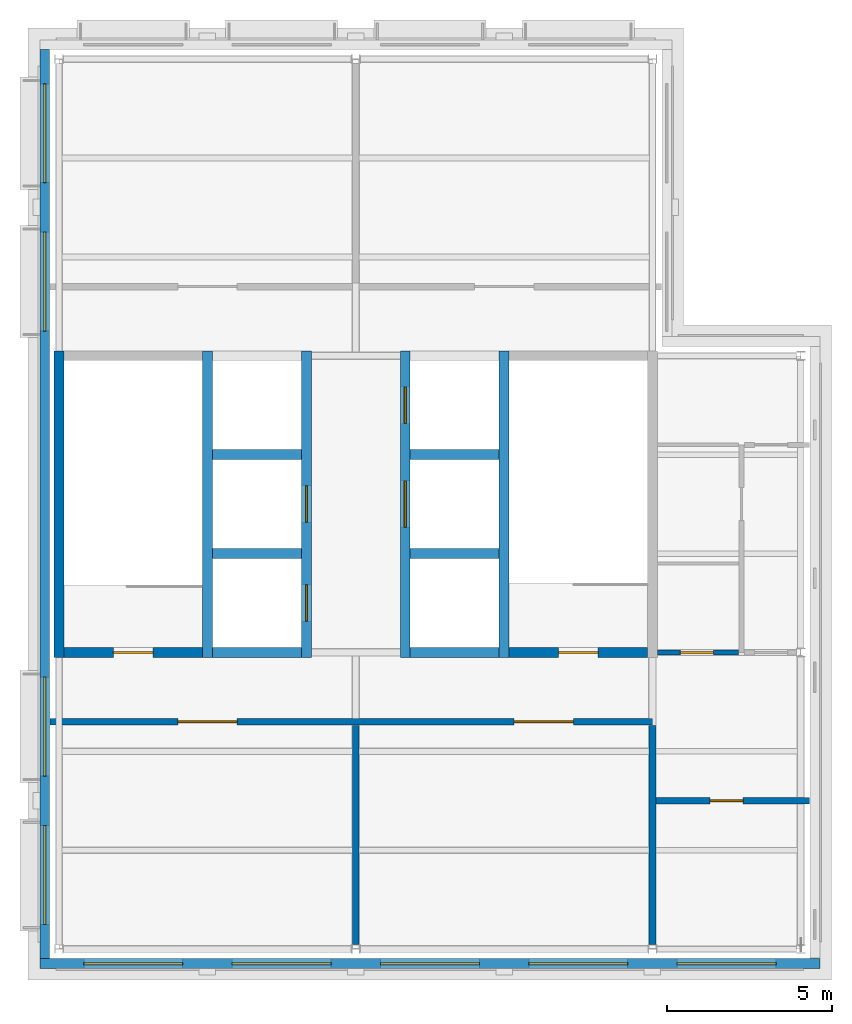
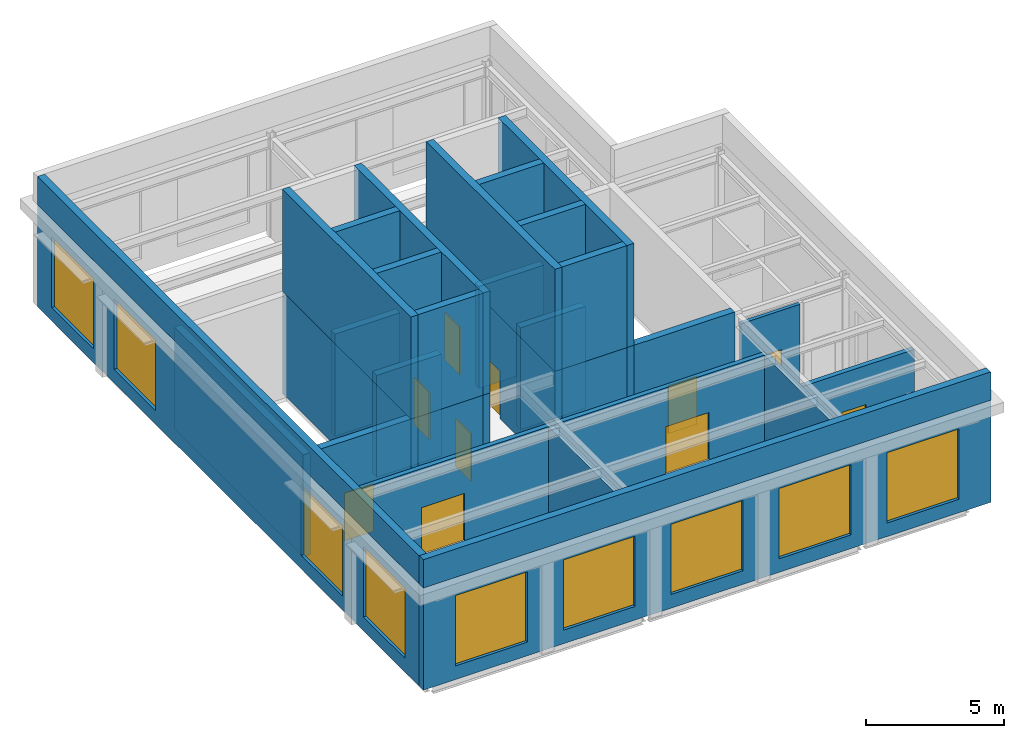
# One storey, part 2 of 4: 32 walls, 10 doors, 9 windows, 19 openings.
"""IFC4 building model written with IfcOpenShell, lengths in metres."""

from ifc_helpers import new_model, si_unit, direction, frame, frame_2d, origin, place, context, subcontext, project, spatial, rectangle, extrude, material, layer, layer_set, type_object, element, fill, save


model = new_model("IFC4")

# Units and contexts
model_context = context("Model", 3, precision=1e-05, world=origin(), true_north=direction((0.0, 1.0)))
body_context = subcontext(model_context, "Body", "Model", "MODEL_VIEW")
ifc_project = project(units=[si_unit("LENGTHUNIT", "METRE"), si_unit("AREAUNIT", "SQUARE_METRE"), si_unit("VOLUMEUNIT", "CUBIC_METRE"), si_unit("PLANEANGLEUNIT", "RADIAN"), si_unit("MASSUNIT", "GRAM", prefix="KILO")], contexts=[model_context])

# Site, building, storey
site_placement = place(None, origin())
site = spatial("IfcSite", under=ifc_project, at=site_placement, CompositionType="ELEMENT")
building_placement = place(site_placement, origin())
building = spatial("IfcBuilding", under=site, at=building_placement, Name="Hortulan Conservatory and Botanical Research Centre", CompositionType="ELEMENT")
storey_placement = place(building_placement, frame((0.0, 0.0, 69.89990234375)))
storey = spatial("IfcBuildingStorey", under=building, at=storey_placement, Name="L16", CompositionType="ELEMENT", Elevation=69.89990234375)

# Walls
ifc_material_1 = material(Name="Fire-rated plasterboard on steel studs", Category="steel")
ifc_layer_1 = layer(ifc_material_1, 0.199951171875)
ifc_layer_set_1 = layer_set([ifc_layer_1], Name="Compartment Partition 200")
wall_type_1 = type_object("IfcWallType", Name="Compartment Partition 200", PredefinedType="PARTITIONING", material=ifc_layer_set_1)
for number, where, z_axis, x_axis, name in (
    (1, (18.0, 0.139892578125, 0.0), (0.0, 0.0, 1.0), (0.0, 1.0, 0.0), "Plant room wall"),
    (2, (27.0, 0.139892578125, 0.0), (0.0, 0.0, 1.0), (0.0, 1.0, 0.0), "Plant room wall"),
):
    element("IfcWall", number, at=place(storey_placement, frame(where, z_axis=z_axis, x_axis=x_axis)), inside=storey, type_object=wall_type_1, Name=name, PredefinedType="PARTITIONING", context=body_context, shape_type="SweptSolid", body=[
        extrude(rectangle(XDim=6.650146484375, YDim=0.199951171875, at=frame_2d((3.3251953125, 0.0))), origin(), (0.0, 0.0, 1.0), 3.822021484375),
    ])

# Wall, opening, door
wall_1_placement = place(storey_placement, frame((27.110107421875, 4.5, 0.0), z_axis=(0.0, 0.0, 1.0), x_axis=(1.0, 0.0, 0.0)))
wall_1 = element("IfcWall", 3, at=wall_1_placement, inside=storey, type_object=wall_type_1, Name="Riser wall", PredefinedType="PARTITIONING", context=body_context, shape_type="SweptSolid", body=[
    extrude(rectangle(XDim=4.65478515625, YDim=0.199951171875, at=frame_2d((2.327392578125, 0.0))), origin(), (0.0, 0.0, 1.0), 3.822021484375),
])
opening_1_placement = place(wall_1_placement, frame((1.639892578125, 0.0, 0.0)))
opening_1 = element("IfcOpeningElement", 4, at=opening_1_placement, cuts=wall_1, Name="Opening DT6", PredefinedType="OPENING", context=body_context, shape_type="SweptSolid", body=[
    extrude(rectangle(XDim=1.0, YDim=2.10009765625, at=frame_2d((0.5, 1.050048828125))), frame((0.0, 0.10986328125, 0.0), z_axis=(0.0, -1.0, 0.0), x_axis=(1.0, 0.0, 0.0)), (0.0, 0.0, 1.0), 0.219970703125),
])
ifc_material_2 = material(Name="Steel door leaf, insulated", Category="steel")
door_type_1 = type_object("IfcDoorType", Name="Fire Door 1000x2100 FRL -/120/30", OperationType="NOTDEFINED", PredefinedType="DOOR", material=ifc_material_2)
door_1_placement = place(opening_1_placement, frame((1.0, 0.0, 0.0), z_axis=(0.0, 0.0, 1.0), x_axis=(-1.0, 0.0, 0.0)))
door_1 = element("IfcDoor", 5, at=door_1_placement, inside=storey, type_object=door_type_1, Name="Door DT6 Services Riser", OperationType="SINGLE_SWING_LEFT", OverallHeight=2.10009765625, OverallWidth=1.0, PredefinedType="DOOR", context=body_context, shape_type="SweptSolid", body=[
    extrude(rectangle(XDim=1.0, YDim=2.10009765625, at=frame_2d((0.5, 1.050048828125))), frame((0.0, 0.02490234375, 0.0), z_axis=(0.0, -1.0, 0.0), x_axis=(1.0, 0.0, 0.0)), (0.0, 0.0, 1.0), 0.050048828125),
])
fill(opening_1, door_1)

# Wall, openings, doors
wall_2_placement = place(storey_placement, frame((8.72412109375, 6.89990234375, 0.0), z_axis=(0.0, 0.0, 1.0), x_axis=(1.0, 0.0, 0.0)))
wall_2 = element("IfcWall", 6, at=wall_2_placement, inside=storey, type_object=wall_type_1, Name="Plant room wall", PredefinedType="PARTITIONING", context=body_context, shape_type="SweptSolid", body=[
    extrude(rectangle(XDim=18.27587890625, YDim=0.199951171875, at=frame_2d((9.137939453125, 0.0))), origin(), (0.0, 0.0, 1.0), 3.822021484375),
])
opening_2_placement = place(wall_2_placement, frame((3.8759765625, 0.0, 0.0)))
opening_2 = element("IfcOpeningElement", 7, at=opening_2_placement, cuts=wall_2, Name="Opening DT7", PredefinedType="OPENING", context=body_context, shape_type="SweptSolid", body=[
    extrude(rectangle(XDim=1.800048828125, YDim=2.10009765625, at=frame_2d((0.89990234375, 1.050048828125))), frame((0.0, 0.10986328125, 0.0), z_axis=(0.0, -1.0, 0.0), x_axis=(1.0, 0.0, 0.0)), (0.0, 0.0, 1.0), 0.219970703125),
])
opening_3_placement = place(wall_2_placement, frame((14.075927734375, 0.0, 0.0)))
opening_3 = element("IfcOpeningElement", 8, at=opening_3_placement, cuts=wall_2, Name="Opening DT7", PredefinedType="OPENING", context=body_context, shape_type="SweptSolid", body=[
    extrude(rectangle(XDim=1.800048828125, YDim=2.10009765625, at=frame_2d((0.89990234375, 1.050048828125))), frame((0.0, 0.10986328125, 0.0), z_axis=(0.0, -1.0, 0.0), x_axis=(1.0, 0.0, 0.0)), (0.0, 0.0, 1.0), 0.219970703125),
])
door_type_2 = type_object("IfcDoorType", Name="Plant Room Double Door 1800x2100 FRL -/120/30", OperationType="DOUBLE_DOOR_SINGLE_SWING", PredefinedType="DOOR", material=ifc_material_2)
door_2_placement = place(opening_2_placement, frame((1.800048828125, 0.0, 0.0), z_axis=(0.0, 0.0, 1.0), x_axis=(-1.0, 0.0, 0.0)))
door_2 = element("IfcDoor", 9, at=door_2_placement, inside=storey, type_object=door_type_2, Name="Door DT7 Main Switch Room", OperationType="DOUBLE_DOOR_SINGLE_SWING", OverallHeight=2.10009765625, OverallWidth=1.800048828125, PredefinedType="DOOR", context=body_context, shape_type="SweptSolid", body=[
    extrude(rectangle(XDim=1.800048828125, YDim=2.10009765625, at=frame_2d((0.89990234375, 1.050048828125))), frame((0.0, 0.02490234375, 0.0), z_axis=(0.0, -1.0, 0.0), x_axis=(1.0, 0.0, 0.0)), (0.0, 0.0, 1.0), 0.050048828125),
])
fill(opening_2, door_2)
door_3_placement = place(opening_3_placement, frame((1.800048828125, 0.0, 0.0), z_axis=(0.0, 0.0, 1.0), x_axis=(-1.0, 0.0, 0.0)))
door_3 = element("IfcDoor", 10, at=door_3_placement, inside=storey, type_object=door_type_2, Name="Door DT7 Air Handling Plant Room", OperationType="DOUBLE_DOOR_SINGLE_SWING", OverallHeight=2.10009765625, OverallWidth=1.800048828125, PredefinedType="DOOR", context=body_context, shape_type="SweptSolid", body=[
    extrude(rectangle(XDim=1.800048828125, YDim=2.10009765625, at=frame_2d((0.89990234375, 1.050048828125))), frame((0.0, 0.02490234375, 0.0), z_axis=(0.0, -1.0, 0.0), x_axis=(1.0, 0.0, 0.0)), (0.0, 0.0, 1.0), 0.050048828125),
])
fill(opening_3, door_3)

# Walls
ifc_material_3 = material(Name="Concrete N40 (40 MPa, AS 3600)", Category="concrete")
ifc_layer_2 = layer(ifc_material_3, 0.300048828125)
ifc_layer_set_2 = layer_set([ifc_layer_2], Name="Core Wall 300 N40 FRL 240/120/120")
wall_type_2 = type_object("IfcWallType", Name="Core Wall 300 N40 FRL 240/120/120", PredefinedType="SHEAR", material=ifc_layer_set_2)
for number, where, z_axis, x_axis, name in (
    (11, (9.0, 8.85009765625, 0.0), (0.0, 0.0, 1.0), (0.0, 1.0, 0.0), "Reinforced concrete shaft wall"),
    (12, (13.5, 8.85009765625, 0.0), (0.0, 0.0, 1.0), (0.0, 1.0, 0.0), "Reinforced concrete shaft wall"),
):
    element("IfcWall", number, at=place(storey_placement, frame(where, z_axis=z_axis, x_axis=x_axis)), inside=storey, type_object=wall_type_2, Name=name, PredefinedType="SHEAR", context=body_context, shape_type="SweptSolid", body=[
        extrude(rectangle(XDim=9.2998046875, YDim=0.300048828125, at=frame_2d((4.64990234375, 0.0))), origin(), (0.0, 0.0, 1.0), 4.5),
    ])

# Wall, openings, doors
wall_3_placement = place(storey_placement, frame((16.5, 8.85009765625, 0.0), z_axis=(0.0, 0.0, 1.0), x_axis=(0.0, 1.0, 0.0)))
wall_3 = element("IfcWall", 13, at=wall_3_placement, inside=storey, type_object=wall_type_2, Name="Reinforced concrete shaft wall", PredefinedType="SHEAR", context=body_context, shape_type="SweptSolid", body=[
    extrude(rectangle(XDim=9.2998046875, YDim=0.300048828125, at=frame_2d((4.64990234375, 0.0))), origin(), (0.0, 0.0, 1.0), 4.5),
])
opening_4_placement = place(wall_3_placement, frame((1.10009765625, 0.0, 0.0)))
opening_4 = element("IfcOpeningElement", 14, at=opening_4_placement, cuts=wall_3, Name="Opening LD1", PredefinedType="OPENING", context=body_context, shape_type="SweptSolid", body=[
    extrude(rectangle(XDim=1.10009765625, YDim=2.10009765625, at=frame_2d((0.550048828125, 1.050048828125))), frame((0.0, 0.159912109375, 0.0), z_axis=(0.0, -1.0, 0.0), x_axis=(1.0, 0.0, 0.0)), (0.0, 0.0, 1.0), 0.320068359375),
])
opening_5_placement = place(wall_3_placement, frame((4.10009765625, 0.0, 0.0)))
opening_5 = element("IfcOpeningElement", 15, at=opening_5_placement, cuts=wall_3, Name="Opening LD1", PredefinedType="OPENING", context=body_context, shape_type="SweptSolid", body=[
    extrude(rectangle(XDim=1.10009765625, YDim=2.10009765625, at=frame_2d((0.550048828125, 1.050048828125))), frame((0.0, 0.159912109375, 0.0), z_axis=(0.0, -1.0, 0.0), x_axis=(1.0, 0.0, 0.0)), (0.0, 0.0, 1.0), 0.320068359375),
])
ifc_material_4 = material(Name="Stainless steel door leaves in steel frame", Category="steel")
door_type_3 = type_object("IfcDoorType", Name="Lift Landing Door 1100x2100", OperationType="DOUBLE_DOOR_SLIDING", PredefinedType="DOOR", material=ifc_material_4)
door_4_placement = place(opening_4_placement, origin())
door_4 = element("IfcDoor", 16, at=door_4_placement, inside=storey, type_object=door_type_3, Name="Lift LP1 landing door L16", OperationType="DOUBLE_DOOR_SLIDING", OverallHeight=2.10009765625, OverallWidth=1.10009765625, PredefinedType="DOOR", context=body_context, shape_type="SweptSolid", body=[
    extrude(rectangle(XDim=1.10009765625, YDim=2.10009765625, at=frame_2d((0.550048828125, 1.050048828125))), frame((0.0, 0.02490234375, 0.0), z_axis=(0.0, -1.0, 0.0), x_axis=(1.0, 0.0, 0.0)), (0.0, 0.0, 1.0), 0.050048828125),
])
fill(opening_4, door_4)
door_5_placement = place(opening_5_placement, origin())
door_5 = element("IfcDoor", 17, at=door_5_placement, inside=storey, type_object=door_type_3, Name="Lift LP2 landing door L16", OperationType="DOUBLE_DOOR_SLIDING", OverallHeight=2.10009765625, OverallWidth=1.10009765625, PredefinedType="DOOR", context=body_context, shape_type="SweptSolid", body=[
    extrude(rectangle(XDim=1.10009765625, YDim=2.10009765625, at=frame_2d((0.550048828125, 1.050048828125))), frame((0.0, 0.02490234375, 0.0), z_axis=(0.0, -1.0, 0.0), x_axis=(1.0, 0.0, 0.0)), (0.0, 0.0, 1.0), 0.050048828125),
])
fill(opening_5, door_5)

wall_4_placement = place(storey_placement, frame((19.5, 8.85009765625, 0.0), z_axis=(0.0, 0.0, 1.0), x_axis=(0.0, 1.0, 0.0)))
wall_4 = element("IfcWall", 18, at=wall_4_placement, inside=storey, type_object=wall_type_2, Name="Reinforced concrete shaft wall", PredefinedType="SHEAR", context=body_context, shape_type="SweptSolid", body=[
    extrude(rectangle(XDim=9.2998046875, YDim=0.300048828125, at=frame_2d((4.64990234375, 0.0))), origin(), (0.0, 0.0, 1.0), 4.5),
])
opening_6_placement = place(wall_4_placement, frame((3.949951171875, 0.0, 0.0)))
opening_6 = element("IfcOpeningElement", 19, at=opening_6_placement, cuts=wall_4, Name="Opening LD2", PredefinedType="OPENING", context=body_context, shape_type="SweptSolid", body=[
    extrude(rectangle(XDim=1.39990234375, YDim=2.10009765625, at=frame_2d((0.699951171875, 1.050048828125))), frame((0.0, 0.159912109375, 0.0), z_axis=(0.0, -1.0, 0.0), x_axis=(1.0, 0.0, 0.0)), (0.0, 0.0, 1.0), 0.320068359375),
])
opening_7_placement = place(wall_4_placement, frame((7.10009765625, 0.0, 0.0)))
opening_7 = element("IfcOpeningElement", 20, at=opening_7_placement, cuts=wall_4, Name="Opening LD1", PredefinedType="OPENING", context=body_context, shape_type="SweptSolid", body=[
    extrude(rectangle(XDim=1.10009765625, YDim=2.10009765625, at=frame_2d((0.550048828125, 1.050048828125))), frame((0.0, 0.159912109375, 0.0), z_axis=(0.0, -1.0, 0.0), x_axis=(1.0, 0.0, 0.0)), (0.0, 0.0, 1.0), 0.320068359375),
])
door_6_placement = place(opening_7_placement, origin())
door_6 = element("IfcDoor", 21, at=door_6_placement, inside=storey, type_object=door_type_3, Name="Lift LF1 landing door L16", OperationType="DOUBLE_DOOR_SLIDING", OverallHeight=2.10009765625, OverallWidth=1.10009765625, PredefinedType="DOOR", context=body_context, shape_type="SweptSolid", body=[
    extrude(rectangle(XDim=1.10009765625, YDim=2.10009765625, at=frame_2d((0.550048828125, 1.050048828125))), frame((0.0, 0.02490234375, 0.0), z_axis=(0.0, -1.0, 0.0), x_axis=(1.0, 0.0, 0.0)), (0.0, 0.0, 1.0), 0.050048828125),
])
fill(opening_7, door_6)
door_type_4 = type_object("IfcDoorType", Name="Lift Landing Door 1400x2100", OperationType="DOUBLE_DOOR_SLIDING", PredefinedType="DOOR", material=ifc_material_4)
door_7_placement = place(opening_6_placement, origin())
door_7 = element("IfcDoor", 22, at=door_7_placement, inside=storey, type_object=door_type_4, Name="Lift LG1 landing door L16", OperationType="DOUBLE_DOOR_SLIDING", OverallHeight=2.10009765625, OverallWidth=1.39990234375, PredefinedType="DOOR", context=body_context, shape_type="SweptSolid", body=[
    extrude(rectangle(XDim=1.39990234375, YDim=2.10009765625, at=frame_2d((0.699951171875, 1.050048828125))), frame((0.0, 0.02490234375, 0.0), z_axis=(0.0, -1.0, 0.0), x_axis=(1.0, 0.0, 0.0)), (0.0, 0.0, 1.0), 0.050048828125),
])
fill(opening_6, door_7)

# Wall
wall_5_placement = place(storey_placement, frame((22.5, 8.85009765625, 0.0), z_axis=(0.0, 0.0, 1.0), x_axis=(0.0, 1.0, 0.0)))
element("IfcWall", 23, at=wall_5_placement, inside=storey, type_object=wall_type_2, Name="Reinforced concrete shaft wall", PredefinedType="SHEAR", context=body_context, shape_type="SweptSolid", body=[
    extrude(rectangle(XDim=9.2998046875, YDim=0.300048828125, at=frame_2d((4.64990234375, 0.0))), origin(), (0.0, 0.0, 1.0), 4.5),
])

# Wall, opening, door
wall_6_placement = place(storey_placement, frame((9.14990234375, 9.0, 0.0), z_axis=(0.0, 0.0, 1.0), x_axis=(1.0, 0.0, 0.0)))
wall_6 = element("IfcWall", 24, at=wall_6_placement, inside=storey, type_object=wall_type_2, Name="Reinforced concrete shaft wall", PredefinedType="SHEAR", context=body_context, shape_type="SweptSolid", body=[
    extrude(rectangle(XDim=4.2001953125, YDim=0.300048828125, at=frame_2d((2.10009765625, 0.0))), origin(), (0.0, 0.0, 1.0), 4.5),
])
opening_8_placement = place(wall_6_placement, frame((1.5, 0.0, 0.0)))
opening_8 = element("IfcOpeningElement", 25, at=opening_8_placement, cuts=wall_6, Name="Opening DT5", PredefinedType="OPENING", context=body_context, shape_type="SweptSolid", body=[
    extrude(rectangle(XDim=1.199951171875, YDim=2.10009765625, at=frame_2d((0.60009765625, 1.050048828125))), frame((0.0, 0.159912109375, 0.0), z_axis=(0.0, -1.0, 0.0), x_axis=(1.0, 0.0, 0.0)), (0.0, 0.0, 1.0), 0.320068359375),
])
door_type_5 = type_object("IfcDoorType", Name="Stair Door 1200x2100 FRL -/120/30", OperationType="NOTDEFINED", PredefinedType="DOOR", material=ifc_material_2)
door_8_placement = place(opening_8_placement, origin())
door_8 = element("IfcDoor", 26, at=door_8_placement, inside=storey, type_object=door_type_5, Name="Door DT5 Exit Stair T1", OperationType="SINGLE_SWING_RIGHT", OverallHeight=2.10009765625, OverallWidth=1.199951171875, PredefinedType="DOOR", context=body_context, shape_type="SweptSolid", body=[
    extrude(rectangle(XDim=1.199951171875, YDim=2.10009765625, at=frame_2d((0.60009765625, 1.050048828125))), frame((0.0, 0.02490234375, 0.0), z_axis=(0.0, -1.0, 0.0), x_axis=(1.0, 0.0, 0.0)), (0.0, 0.0, 1.0), 0.050048828125),
])
fill(opening_8, door_8)

# Walls
for number, where, z_axis, x_axis, name in (
    (27, (13.64990234375, 9.0, 0.0), (0.0, 0.0, 1.0), (1.0, 0.0, 0.0), "Reinforced concrete shaft wall"),
    (28, (19.64990234375, 9.0, 0.0), (0.0, 0.0, 1.0), (1.0, 0.0, 0.0), "Reinforced concrete shaft wall"),
):
    element("IfcWall", number, at=place(storey_placement, frame(where, z_axis=z_axis, x_axis=x_axis)), inside=storey, type_object=wall_type_2, Name=name, PredefinedType="SHEAR", context=body_context, shape_type="SweptSolid", body=[
        extrude(rectangle(XDim=2.7001953125, YDim=0.300048828125, at=frame_2d((1.35009765625, 0.0))), origin(), (0.0, 0.0, 1.0), 4.5),
    ])

# Wall, opening, door
wall_7_placement = place(storey_placement, frame((22.64990234375, 9.0, 0.0), z_axis=(0.0, 0.0, 1.0), x_axis=(1.0, 0.0, 0.0)))
wall_7 = element("IfcWall", 29, at=wall_7_placement, inside=storey, type_object=wall_type_2, Name="Reinforced concrete shaft wall", PredefinedType="SHEAR", context=body_context, shape_type="SweptSolid", body=[
    extrude(rectangle(XDim=4.2001953125, YDim=0.300048828125, at=frame_2d((2.10009765625, 0.0))), origin(), (0.0, 0.0, 1.0), 4.5),
])
opening_9_placement = place(wall_7_placement, frame((1.5, 0.0, 0.0)))
opening_9 = element("IfcOpeningElement", 30, at=opening_9_placement, cuts=wall_7, Name="Opening DT5", PredefinedType="OPENING", context=body_context, shape_type="SweptSolid", body=[
    extrude(rectangle(XDim=1.199951171875, YDim=2.10009765625, at=frame_2d((0.60009765625, 1.050048828125))), frame((0.0, 0.159912109375, 0.0), z_axis=(0.0, -1.0, 0.0), x_axis=(1.0, 0.0, 0.0)), (0.0, 0.0, 1.0), 0.320068359375),
])
door_9_placement = place(opening_9_placement, origin())
door_9 = element("IfcDoor", 31, at=door_9_placement, inside=storey, type_object=door_type_5, Name="Door DT5 Exit Stair T2", OperationType="SINGLE_SWING_LEFT", OverallHeight=2.10009765625, OverallWidth=1.199951171875, PredefinedType="DOOR", context=body_context, shape_type="SweptSolid", body=[
    extrude(rectangle(XDim=1.199951171875, YDim=2.10009765625, at=frame_2d((0.60009765625, 1.050048828125))), frame((0.0, 0.02490234375, 0.0), z_axis=(0.0, -1.0, 0.0), x_axis=(1.0, 0.0, 0.0)), (0.0, 0.0, 1.0), 0.050048828125),
])
fill(opening_9, door_9)

# Walls
for number, where, z_axis, x_axis, name in (
    (32, (13.64990234375, 12.0, 0.0), (0.0, 0.0, 1.0), (1.0, 0.0, 0.0), "Reinforced concrete shaft wall"),
    (33, (19.64990234375, 12.0, 0.0), (0.0, 0.0, 1.0), (1.0, 0.0, 0.0), "Reinforced concrete shaft wall"),
    (34, (13.64990234375, 15.0, 0.0), (0.0, 0.0, 1.0), (1.0, 0.0, 0.0), "Reinforced concrete shaft wall"),
    (35, (19.64990234375, 15.0, 0.0), (0.0, 0.0, 1.0), (1.0, 0.0, 0.0), "Reinforced concrete shaft wall"),
):
    element("IfcWall", number, at=place(storey_placement, frame(where, z_axis=z_axis, x_axis=x_axis)), inside=storey, type_object=wall_type_2, Name=name, PredefinedType="SHEAR", context=body_context, shape_type="SweptSolid", body=[
        extrude(rectangle(XDim=2.7001953125, YDim=0.300048828125, at=frame_2d((1.35009765625, 0.0))), origin(), (0.0, 0.0, 1.0), 4.5),
    ])

# Wall, opening, door
ifc_material_5 = material(Name="Plasterboard on steel studs", Category="steel")
ifc_layer_3 = layer(ifc_material_5, 0.14990234375)
ifc_layer_set_3 = layer_set([ifc_layer_3], Name="Corridor Partition 150")
wall_type_3 = type_object("IfcWallType", Name="Corridor Partition 150", PredefinedType="PARTITIONING", material=ifc_layer_set_3)
wall_8_placement = place(storey_placement, frame((27.159912109375, 9.0, 0.0), z_axis=(0.0, 0.0, 1.0), x_axis=(1.0, 0.0, 0.0)))
wall_8 = element("IfcWall", 36, at=wall_8_placement, inside=storey, type_object=wall_type_3, Name="Corridor partition", PredefinedType="PARTITIONING", context=body_context, shape_type="SweptSolid", body=[
    extrude(rectangle(XDim=2.455078125, YDim=0.14990234375, at=frame_2d((1.2275390625, 0.0))), origin(), (0.0, 0.0, 1.0), 3.822021484375),
])
opening_10_placement = place(wall_8_placement, frame((0.68994140625, 0.0, 0.0)))
opening_10 = element("IfcOpeningElement", 37, at=opening_10_placement, cuts=wall_8, Name="Opening DT1", PredefinedType="OPENING", context=body_context, shape_type="SweptSolid", body=[
    extrude(rectangle(XDim=1.0, YDim=2.10009765625, at=frame_2d((0.5, 1.050048828125))), frame((0.0, 0.0849609375, 0.0), z_axis=(0.0, -1.0, 0.0), x_axis=(1.0, 0.0, 0.0)), (0.0, 0.0, 1.0), 0.169921875),
])
ifc_material_6 = material(Name="Timber door leaf in timber frame", Category="wood")
door_type_6 = type_object("IfcDoorType", Name="Single Door 1000x2100", OperationType="NOTDEFINED", PredefinedType="DOOR", material=ifc_material_6)
door_10_placement = place(opening_10_placement, origin())
door_10 = element("IfcDoor", 38, at=door_10_placement, inside=storey, type_object=door_type_6, Name="Door DT1 Accessible WC", OperationType="SINGLE_SWING_RIGHT", OverallHeight=2.10009765625, OverallWidth=1.0, PredefinedType="DOOR", context=body_context, shape_type="SweptSolid", body=[
    extrude(rectangle(XDim=1.0, YDim=2.10009765625, at=frame_2d((0.5, 1.050048828125))), frame((0.0, 0.02490234375, 0.0), z_axis=(0.0, -1.0, 0.0), x_axis=(1.0, 0.0, 0.0)), (0.0, 0.0, 1.0), 0.050048828125),
])
fill(opening_10, door_10)

# Walls
ifc_layer_4 = layer(ifc_material_3, 0.300048828125)
ifc_layer_set_4 = layer_set([ifc_layer_4], Name="Shaft Head Wall 300")
wall_type_4 = type_object("IfcWallType", Name="Shaft Head Wall 300", PredefinedType="SOLIDWALL", material=ifc_layer_set_4)
for number, where, z_axis, x_axis, name in (
    (39, (13.5, 8.85009765625, 4.5), (0.0, 0.0, 1.0), (0.0, 1.0, 0.0), "Lift TW74400-1 head wall 1"),
    (40, (16.5, 8.85009765625, 4.5), (0.0, 0.0, 1.0), (0.0, 1.0, 0.0), "Lift TW74400-1 head wall 2"),
):
    element("IfcWall", number, at=place(storey_placement, frame(where, z_axis=z_axis, x_axis=x_axis)), inside=storey, type_object=wall_type_4, Name=name, PredefinedType="SOLIDWALL", context=body_context, shape_type="SweptSolid", body=[
        extrude(rectangle(XDim=9.2998046875, YDim=0.300048828125, at=frame_2d((4.64990234375, 0.0))), origin(), (0.0, 0.0, 1.0), 4.5),
    ])
for number, where, z_axis, x_axis, name in (
    (41, (13.64990234375, 9.0, 4.5), (0.0, 0.0, 1.0), (1.0, 0.0, 0.0), "Lift TW74400-1 head wall 3"),
    (42, (13.64990234375, 12.0, 4.5), (0.0, 0.0, 1.0), (1.0, 0.0, 0.0), "Lift TW74400-1 head wall 4"),
    (43, (13.64990234375, 15.0, 4.5), (0.0, 0.0, 1.0), (1.0, 0.0, 0.0), "Lift TW74400-1 head wall 5"),
):
    element("IfcWall", number, at=place(storey_placement, frame(where, z_axis=z_axis, x_axis=x_axis)), inside=storey, type_object=wall_type_4, Name=name, PredefinedType="SOLIDWALL", context=body_context, shape_type="SweptSolid", body=[
        extrude(rectangle(XDim=2.7001953125, YDim=0.300048828125, at=frame_2d((1.35009765625, 0.0))), origin(), (0.0, 0.0, 1.0), 4.5),
    ])
for number, where, z_axis, x_axis, name in (
    (44, (19.5, 8.85009765625, 4.5), (0.0, 0.0, 1.0), (0.0, 1.0, 0.0), "Lift TW74400-2 head wall 1"),
    (45, (22.5, 8.85009765625, 4.5), (0.0, 0.0, 1.0), (0.0, 1.0, 0.0), "Lift TW74400-2 head wall 2"),
):
    element("IfcWall", number, at=place(storey_placement, frame(where, z_axis=z_axis, x_axis=x_axis)), inside=storey, type_object=wall_type_4, Name=name, PredefinedType="SOLIDWALL", context=body_context, shape_type="SweptSolid", body=[
        extrude(rectangle(XDim=9.2998046875, YDim=0.300048828125, at=frame_2d((4.64990234375, 0.0))), origin(), (0.0, 0.0, 1.0), 4.5),
    ])
for number, where, z_axis, x_axis, name in (
    (46, (19.64990234375, 9.0, 4.5), (0.0, 0.0, 1.0), (1.0, 0.0, 0.0), "Lift TW74400-2 head wall 3"),
    (47, (19.64990234375, 12.0, 4.5), (0.0, 0.0, 1.0), (1.0, 0.0, 0.0), "Lift TW74400-2 head wall 4"),
    (48, (19.64990234375, 15.0, 4.5), (0.0, 0.0, 1.0), (1.0, 0.0, 0.0), "Lift TW74400-2 head wall 5"),
):
    element("IfcWall", number, at=place(storey_placement, frame(where, z_axis=z_axis, x_axis=x_axis)), inside=storey, type_object=wall_type_4, Name=name, PredefinedType="SOLIDWALL", context=body_context, shape_type="SweptSolid", body=[
        extrude(rectangle(XDim=2.7001953125, YDim=0.300048828125, at=frame_2d((1.35009765625, 0.0))), origin(), (0.0, 0.0, 1.0), 4.5),
    ])

# Wall, openings, windows
ifc_material_7 = material(Name="Verdigris copper-green zinc cladding on lightweight framing", Category="metal")
ifc_layer_5 = layer(ifc_material_7, 0.300048828125)
ifc_layer_set_5 = layer_set([ifc_layer_5], Name="Verdigris Zinc Clad Wall 300")
wall_type_5 = type_object("IfcWallType", Name="Verdigris Zinc Clad Wall 300", PredefinedType="STANDARD", material=ifc_layer_set_5)
wall_9_placement = place(storey_placement, frame((32.074951171875, -0.43603515625, 0.0), z_axis=(0.0, 0.0, 1.0), x_axis=(-1.0, 0.0, 0.0)))
wall_9 = element("IfcWall", 49, at=wall_9_placement, inside=storey, type_object=wall_type_5, Name="E-EW-TW-L16-S1", PredefinedType="STANDARD", context=body_context, shape_type="SweptSolid", body=[
    extrude(rectangle(XDim=23.660888671875, YDim=0.300048828125, at=frame_2d((11.83056640625, 0.0))), origin(), (0.0, 0.0, 1.0), 4.5),
])
opening_11_placement = place(wall_9_placement, frame((19.324951171875, 0.0, 0.60009765625)))
opening_11 = element("IfcOpeningElement", 50, at=opening_11_placement, cuts=wall_9, Name="Opening W8", PredefinedType="OPENING", context=body_context, shape_type="SweptSolid", body=[
    extrude(rectangle(XDim=3.0, YDim=3.10009765625, at=frame_2d((1.5, 1.550048828125))), frame((0.0, 0.159912109375, 0.0), z_axis=(0.0, -1.0, 0.0), x_axis=(1.0, 0.0, 0.0)), (0.0, 0.0, 1.0), 0.320068359375),
])
opening_12_placement = place(wall_9_placement, frame((14.824951171875, 0.0, 0.60009765625)))
opening_12 = element("IfcOpeningElement", 51, at=opening_12_placement, cuts=wall_9, Name="Opening W8", PredefinedType="OPENING", context=body_context, shape_type="SweptSolid", body=[
    extrude(rectangle(XDim=3.0, YDim=3.10009765625, at=frame_2d((1.5, 1.550048828125))), frame((0.0, 0.159912109375, 0.0), z_axis=(0.0, -1.0, 0.0), x_axis=(1.0, 0.0, 0.0)), (0.0, 0.0, 1.0), 0.320068359375),
])
opening_13_placement = place(wall_9_placement, frame((10.324951171875, 0.0, 0.60009765625)))
opening_13 = element("IfcOpeningElement", 52, at=opening_13_placement, cuts=wall_9, Name="Opening W8", PredefinedType="OPENING", context=body_context, shape_type="SweptSolid", body=[
    extrude(rectangle(XDim=3.0, YDim=3.10009765625, at=frame_2d((1.5, 1.550048828125))), frame((0.0, 0.159912109375, 0.0), z_axis=(0.0, -1.0, 0.0), x_axis=(1.0, 0.0, 0.0)), (0.0, 0.0, 1.0), 0.320068359375),
])
opening_14_placement = place(wall_9_placement, frame((5.824951171875, 0.0, 0.60009765625)))
opening_14 = element("IfcOpeningElement", 53, at=opening_14_placement, cuts=wall_9, Name="Opening W8", PredefinedType="OPENING", context=body_context, shape_type="SweptSolid", body=[
    extrude(rectangle(XDim=3.0, YDim=3.10009765625, at=frame_2d((1.5, 1.550048828125))), frame((0.0, 0.159912109375, 0.0), z_axis=(0.0, -1.0, 0.0), x_axis=(1.0, 0.0, 0.0)), (0.0, 0.0, 1.0), 0.320068359375),
])
opening_15_placement = place(wall_9_placement, frame((1.324951171875, 0.0, 0.60009765625)))
opening_15 = element("IfcOpeningElement", 54, at=opening_15_placement, cuts=wall_9, Name="Opening W8", PredefinedType="OPENING", context=body_context, shape_type="SweptSolid", body=[
    extrude(rectangle(XDim=3.0, YDim=3.10009765625, at=frame_2d((1.5, 1.550048828125))), frame((0.0, 0.159912109375, 0.0), z_axis=(0.0, -1.0, 0.0), x_axis=(1.0, 0.0, 0.0)), (0.0, 0.0, 1.0), 0.320068359375),
])
ifc_material_8 = material(Name="Bronze-finished aluminium frame with low-e laminated double glazing", Category="aluminium")
window_type = type_object("IfcWindowType", Name="Attic Window 3000x3100", PartitioningType="SINGLE_PANEL", PredefinedType="WINDOW", material=ifc_material_8)
window_1_placement = place(opening_11_placement, origin())
window_1 = element("IfcWindow", 55, at=window_1_placement, inside=storey, type_object=window_type, Name="Attic window", OverallHeight=3.10009765625, OverallWidth=3.0, PartitioningType="SINGLE_PANEL", PredefinedType="WINDOW", context=body_context, shape_type="SweptSolid", body=[
    extrude(rectangle(XDim=3.0, YDim=3.10009765625, at=frame_2d((1.5, 1.550048828125))), frame((0.0, 0.030029296875, 0.0), z_axis=(0.0, -1.0, 0.0), x_axis=(1.0, 0.0, 0.0)), (0.0, 0.0, 1.0), 0.06005859375),
])
fill(opening_11, window_1)
window_2_placement = place(opening_12_placement, origin())
window_2 = element("IfcWindow", 56, at=window_2_placement, inside=storey, type_object=window_type, Name="Attic window", OverallHeight=3.10009765625, OverallWidth=3.0, PartitioningType="SINGLE_PANEL", PredefinedType="WINDOW", context=body_context, shape_type="SweptSolid", body=[
    extrude(rectangle(XDim=3.0, YDim=3.10009765625, at=frame_2d((1.5, 1.550048828125))), frame((0.0, 0.030029296875, 0.0), z_axis=(0.0, -1.0, 0.0), x_axis=(1.0, 0.0, 0.0)), (0.0, 0.0, 1.0), 0.06005859375),
])
fill(opening_12, window_2)
window_3_placement = place(opening_13_placement, origin())
window_3 = element("IfcWindow", 57, at=window_3_placement, inside=storey, type_object=window_type, Name="Attic window", OverallHeight=3.10009765625, OverallWidth=3.0, PartitioningType="SINGLE_PANEL", PredefinedType="WINDOW", context=body_context, shape_type="SweptSolid", body=[
    extrude(rectangle(XDim=3.0, YDim=3.10009765625, at=frame_2d((1.5, 1.550048828125))), frame((0.0, 0.030029296875, 0.0), z_axis=(0.0, -1.0, 0.0), x_axis=(1.0, 0.0, 0.0)), (0.0, 0.0, 1.0), 0.06005859375),
])
fill(opening_13, window_3)
window_4_placement = place(opening_14_placement, origin())
window_4 = element("IfcWindow", 58, at=window_4_placement, inside=storey, type_object=window_type, Name="Attic window", OverallHeight=3.10009765625, OverallWidth=3.0, PartitioningType="SINGLE_PANEL", PredefinedType="WINDOW", context=body_context, shape_type="SweptSolid", body=[
    extrude(rectangle(XDim=3.0, YDim=3.10009765625, at=frame_2d((1.5, 1.550048828125))), frame((0.0, 0.030029296875, 0.0), z_axis=(0.0, -1.0, 0.0), x_axis=(1.0, 0.0, 0.0)), (0.0, 0.0, 1.0), 0.06005859375),
])
fill(opening_14, window_4)
window_5_placement = place(opening_15_placement, origin())
window_5 = element("IfcWindow", 59, at=window_5_placement, inside=storey, type_object=window_type, Name="Attic window", OverallHeight=3.10009765625, OverallWidth=3.0, PartitioningType="SINGLE_PANEL", PredefinedType="WINDOW", context=body_context, shape_type="SweptSolid", body=[
    extrude(rectangle(XDim=3.0, YDim=3.10009765625, at=frame_2d((1.5, 1.550048828125))), frame((0.0, 0.030029296875, 0.0), z_axis=(0.0, -1.0, 0.0), x_axis=(1.0, 0.0, 0.0)), (0.0, 0.0, 1.0), 0.06005859375),
])
fill(opening_15, window_5)

wall_10_placement = place(storey_placement, frame((8.56396484375, -0.285888671875, 0.0), z_axis=(0.0, 0.0, 1.0), x_axis=(0.0, 1.0, 0.0)))
wall_10 = element("IfcWall", 60, at=wall_10_placement, inside=storey, type_object=wall_type_5, Name="E-EW-TW-L16-W2", PredefinedType="STANDARD", context=body_context, shape_type="SweptSolid", body=[
    extrude(rectangle(XDim=27.57177734375, YDim=0.300048828125, at=frame_2d((13.785888671875, 0.0))), origin(), (0.0, 0.0, 1.0), 4.5),
])
opening_16_placement = place(wall_10_placement, frame((1.035888671875, 0.0, 0.60009765625)))
opening_16 = element("IfcOpeningElement", 61, at=opening_16_placement, cuts=wall_10, Name="Opening W8", PredefinedType="OPENING", context=body_context, shape_type="SweptSolid", body=[
    extrude(rectangle(XDim=3.0, YDim=3.10009765625, at=frame_2d((1.5, 1.550048828125))), frame((0.0, 0.159912109375, 0.0), z_axis=(0.0, -1.0, 0.0), x_axis=(1.0, 0.0, 0.0)), (0.0, 0.0, 1.0), 0.320068359375),
])
opening_17_placement = place(wall_10_placement, frame((5.535888671875, 0.0, 0.60009765625)))
opening_17 = element("IfcOpeningElement", 62, at=opening_17_placement, cuts=wall_10, Name="Opening W8", PredefinedType="OPENING", context=body_context, shape_type="SweptSolid", body=[
    extrude(rectangle(XDim=3.0, YDim=3.10009765625, at=frame_2d((1.5, 1.550048828125))), frame((0.0, 0.159912109375, 0.0), z_axis=(0.0, -1.0, 0.0), x_axis=(1.0, 0.0, 0.0)), (0.0, 0.0, 1.0), 0.320068359375),
])
opening_18_placement = place(wall_10_placement, frame((19.035888671875, 0.0, 0.60009765625)))
opening_18 = element("IfcOpeningElement", 63, at=opening_18_placement, cuts=wall_10, Name="Opening W8", PredefinedType="OPENING", context=body_context, shape_type="SweptSolid", body=[
    extrude(rectangle(XDim=3.0, YDim=3.10009765625, at=frame_2d((1.5, 1.550048828125))), frame((0.0, 0.159912109375, 0.0), z_axis=(0.0, -1.0, 0.0), x_axis=(1.0, 0.0, 0.0)), (0.0, 0.0, 1.0), 0.320068359375),
])
opening_19_placement = place(wall_10_placement, frame((23.535888671875, 0.0, 0.60009765625)))
opening_19 = element("IfcOpeningElement", 64, at=opening_19_placement, cuts=wall_10, Name="Opening W8", PredefinedType="OPENING", context=body_context, shape_type="SweptSolid", body=[
    extrude(rectangle(XDim=3.0, YDim=3.10009765625, at=frame_2d((1.5, 1.550048828125))), frame((0.0, 0.159912109375, 0.0), z_axis=(0.0, -1.0, 0.0), x_axis=(1.0, 0.0, 0.0)), (0.0, 0.0, 1.0), 0.320068359375),
])
window_6_placement = place(opening_16_placement, origin())
window_6 = element("IfcWindow", 65, at=window_6_placement, inside=storey, type_object=window_type, Name="Attic window", OverallHeight=3.10009765625, OverallWidth=3.0, PartitioningType="SINGLE_PANEL", PredefinedType="WINDOW", context=body_context, shape_type="SweptSolid", body=[
    extrude(rectangle(XDim=3.0, YDim=3.10009765625, at=frame_2d((1.5, 1.550048828125))), frame((0.0, 0.030029296875, 0.0), z_axis=(0.0, -1.0, 0.0), x_axis=(1.0, 0.0, 0.0)), (0.0, 0.0, 1.0), 0.06005859375),
])
fill(opening_16, window_6)
window_7_placement = place(opening_17_placement, origin())
window_7 = element("IfcWindow", 66, at=window_7_placement, inside=storey, type_object=window_type, Name="Attic window", OverallHeight=3.10009765625, OverallWidth=3.0, PartitioningType="SINGLE_PANEL", PredefinedType="WINDOW", context=body_context, shape_type="SweptSolid", body=[
    extrude(rectangle(XDim=3.0, YDim=3.10009765625, at=frame_2d((1.5, 1.550048828125))), frame((0.0, 0.030029296875, 0.0), z_axis=(0.0, -1.0, 0.0), x_axis=(1.0, 0.0, 0.0)), (0.0, 0.0, 1.0), 0.06005859375),
])
fill(opening_17, window_7)
window_8_placement = place(opening_18_placement, origin())
window_8 = element("IfcWindow", 67, at=window_8_placement, inside=storey, type_object=window_type, Name="Attic window", OverallHeight=3.10009765625, OverallWidth=3.0, PartitioningType="SINGLE_PANEL", PredefinedType="WINDOW", context=body_context, shape_type="SweptSolid", body=[
    extrude(rectangle(XDim=3.0, YDim=3.10009765625, at=frame_2d((1.5, 1.550048828125))), frame((0.0, 0.030029296875, 0.0), z_axis=(0.0, -1.0, 0.0), x_axis=(1.0, 0.0, 0.0)), (0.0, 0.0, 1.0), 0.06005859375),
])
fill(opening_18, window_8)
window_9_placement = place(opening_19_placement, origin())
window_9 = element("IfcWindow", 68, at=window_9_placement, inside=storey, type_object=window_type, Name="Attic window", OverallHeight=3.10009765625, OverallWidth=3.0, PartitioningType="SINGLE_PANEL", PredefinedType="WINDOW", context=body_context, shape_type="SweptSolid", body=[
    extrude(rectangle(XDim=3.0, YDim=3.10009765625, at=frame_2d((1.5, 1.550048828125))), frame((0.0, 0.030029296875, 0.0), z_axis=(0.0, -1.0, 0.0), x_axis=(1.0, 0.0, 0.0)), (0.0, 0.0, 1.0), 0.06005859375),
])
fill(opening_19, window_9)

# Walls
ifc_layer_6 = layer(ifc_material_7, 0.300048828125)
ifc_layer_set_6 = layer_set([ifc_layer_6], Name="Verdigris Zinc Clad Wall 300 Parapet 300")
wall_type_6 = type_object("IfcWallType", Name="Verdigris Zinc Clad Wall 300 Parapet 300", PredefinedType="PARAPET", material=ifc_layer_set_6)
wall_11_placement = place(storey_placement, frame((32.074951171875, -0.43603515625, 4.5), z_axis=(0.0, 0.0, 1.0), x_axis=(-1.0, 0.0, 0.0)))
element("IfcWall", 69, at=wall_11_placement, inside=storey, type_object=wall_type_6, Name="Parapet", PredefinedType="PARAPET", context=body_context, shape_type="SweptSolid", body=[
    extrude(rectangle(XDim=23.660888671875, YDim=0.300048828125, at=frame_2d((11.83056640625, 0.0))), origin(), (0.0, 0.0, 1.0), 1.25),
])
wall_12_placement = place(storey_placement, frame((8.56396484375, -0.285888671875, 4.5), z_axis=(0.0, 0.0, 1.0), x_axis=(0.0, 1.0, 0.0)))
element("IfcWall", 70, at=wall_12_placement, inside=storey, type_object=wall_type_6, Name="Parapet", PredefinedType="PARAPET", context=body_context, shape_type="SweptSolid", body=[
    extrude(rectangle(XDim=27.57177734375, YDim=0.300048828125, at=frame_2d((13.785888671875, 0.0))), origin(), (0.0, 0.0, 1.0), 1.25),
])

save(model, "model.ifc")
